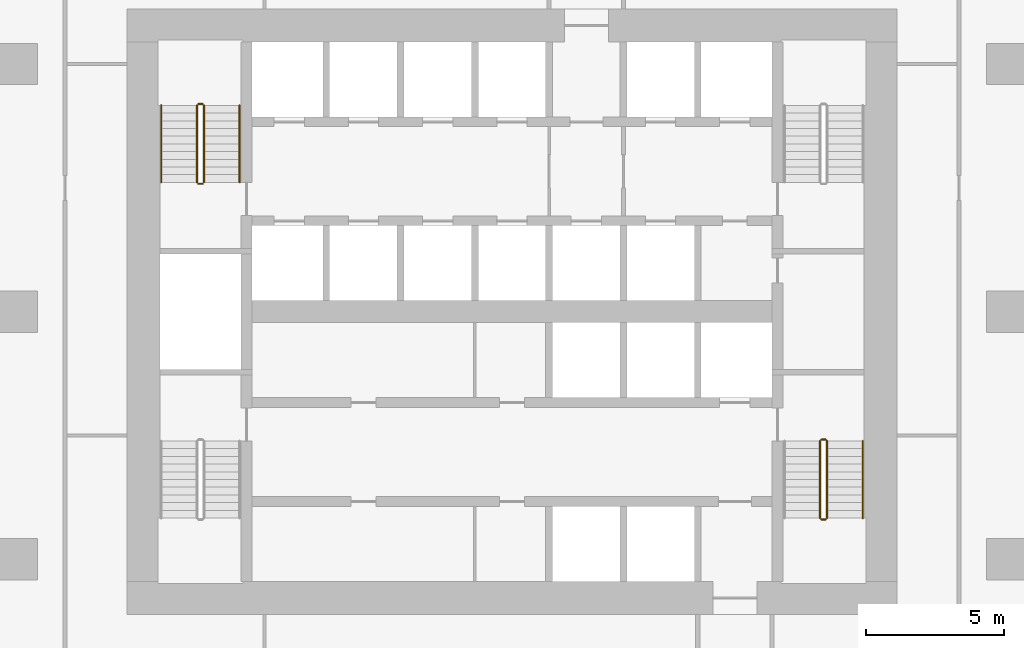
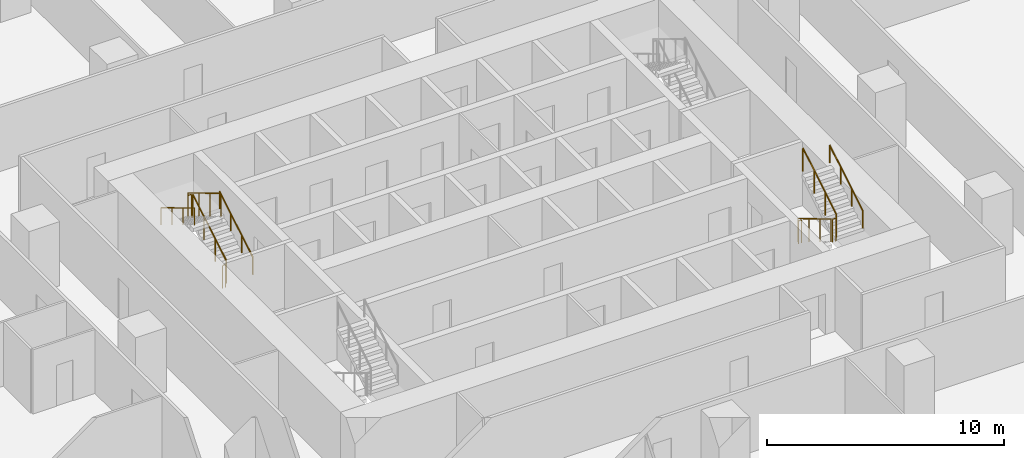
# One storey, part 22 of 25: 11 railings.
"""IFC4 building model written with IfcOpenShell, lengths in metres."""

from ifc_helpers import new_model, si_unit, direction, frame, origin, origin_2d, place, context, subcontext, project, spatial, circle, extrude, material, type_object, element, save


model = new_model("IFC4")

# Units and contexts
model_context = context("Model", 3, precision=1e-05, world=origin(), true_north=direction((0.0, 1.0)))
body_context = subcontext(model_context, "Body", "Model", "MODEL_VIEW")
ifc_project = project(units=[si_unit("LENGTHUNIT", "METRE"), si_unit("AREAUNIT", "SQUARE_METRE"), si_unit("VOLUMEUNIT", "CUBIC_METRE"), si_unit("PLANEANGLEUNIT", "RADIAN"), si_unit("MASSUNIT", "GRAM", prefix="KILO")], contexts=[model_context])

# Site, building, storey
site_placement = place(None, origin())
site = spatial("IfcSite", under=ifc_project, at=site_placement, CompositionType="ELEMENT")
building_placement = place(site_placement, origin())
building = spatial("IfcBuilding", under=site, at=building_placement, Name="Dongbaek Canopy Tower", CompositionType="ELEMENT")
storey_placement = place(building_placement, frame((0.0, 0.0, 77.300048828125)))
storey = spatial("IfcBuildingStorey", under=building, at=storey_placement, Name="L15", CompositionType="ELEMENT", Elevation=77.300048828125)

# Railings
ifc_material_1 = material(Name="Stainless steel tube and balusters", Category="steel")
railing_type_1 = type_object("IfcRailingType", Name="Stair guard 1200", PredefinedType="GUARDRAIL", material=ifc_material_1)
railing_1_placement = place(storey_placement, frame((-11.199951171875, 4.699951171875, 0.168212890625)))
element("IfcRailing", 1, at=railing_1_placement, inside=storey, type_object=railing_type_1, Name="L15 ST-C stair guard 1", PredefinedType="GUARDRAIL", context=body_context, shape_type="SweptSolid", body=[
    extrude(circle(Radius=0.02392578125, at=origin_2d()), frame((0.0, 0.0, 1.17578125), z_axis=(0.0, 0.857275202839, 0.514858452973), x_axis=(-1.0, 0.0, 0.0)), (0.0, 0.0, 1.0), 3.26611328125),
    extrude(circle(Radius=0.02099609375, at=origin_2d()), origin(), (0.0, 0.0, 1.0), 1.15185546875),
    extrude(circle(Radius=0.02099609375, at=origin_2d()), frame((0.0, 0.933349609375, 0.560546875)), (0.0, 0.0, 1.0), 1.15185546875),
    extrude(circle(Radius=0.02099609375, at=origin_2d()), frame((0.0, 1.86669921875, 1.12109375)), (0.0, 0.0, 1.0), 1.15185546875),
    extrude(circle(Radius=0.02099609375, at=origin_2d()), frame((0.0, 2.800048828125, 1.681640625)), (0.0, 0.0, 1.0), 1.15185546875),
])
railing_2_placement = place(storey_placement, frame((-11.25, 7.550048828125, 1.849853515625)))
element("IfcRailing", 2, at=railing_2_placement, inside=storey, type_object=railing_type_1, Name="L15 ST-C stair guard 2", PredefinedType="GUARDRAIL", context=body_context, shape_type="SweptSolid", body=[
    extrude(circle(Radius=0.02392578125, at=origin_2d()), frame((0.0, 0.0, 1.17578125), z_axis=(-1.0, 0.0, 0.0), x_axis=(0.0, -1.0, 0.0)), (0.0, 0.0, 1.0), 0.14990234375),
    extrude(circle(Radius=0.02099609375, at=origin_2d()), origin(), (0.0, 0.0, 1.0), 1.15185546875),
    extrude(circle(Radius=0.02099609375, at=origin_2d()), frame((-0.14990234375, 0.0, 0.0)), (0.0, 0.0, 1.0), 1.15185546875),
])
railing_3_placement = place(storey_placement, frame((-11.449951171875, 7.5, 2.01806640625)))
element("IfcRailing", 3, at=railing_3_placement, inside=storey, type_object=railing_type_1, Name="L15 ST-C stair guard 3", PredefinedType="GUARDRAIL", context=body_context, shape_type="SweptSolid", body=[
    extrude(circle(Radius=0.02392578125, at=origin_2d()), frame((0.0, 0.0, 1.17578125), z_axis=(0.0, -0.857242210791, 0.514913383045), x_axis=(1.0, 0.0, 0.0)), (0.0, 0.0, 1.0), 3.266357421875),
    extrude(circle(Radius=0.02099609375, at=origin_2d()), origin(), (0.0, 0.0, 1.0), 1.15185546875),
    extrude(circle(Radius=0.02099609375, at=origin_2d()), frame((0.0, -0.933349609375, 0.560546875)), (0.0, 0.0, 1.0), 1.15185546875),
    extrude(circle(Radius=0.02099609375, at=origin_2d()), frame((0.0, -1.86669921875, 1.121337890625)), (0.0, 0.0, 1.0), 1.15185546875),
    extrude(circle(Radius=0.02099609375, at=origin_2d()), frame((0.0, -2.800048828125, 1.681884765625)), (0.0, 0.0, 1.0), 1.15185546875),
])
railing_4_placement = place(storey_placement, frame((-11.25, 4.64990234375, 0.0)))
element("IfcRailing", 4, at=railing_4_placement, inside=storey, type_object=railing_type_1, Name="L15 ST-C stair guard 4", PredefinedType="GUARDRAIL", context=body_context, shape_type="SweptSolid", body=[
    extrude(circle(Radius=0.02392578125, at=origin_2d()), frame((0.0, 0.0, 1.17578125), z_axis=(-1.0, 0.0, 0.0), x_axis=(0.0, -1.0, 0.0)), (0.0, 0.0, 1.0), 0.14990234375),
    extrude(circle(Radius=0.02099609375, at=origin_2d()), origin(), (0.0, 0.0, 1.0), 1.15185546875),
    extrude(circle(Radius=0.02099609375, at=origin_2d()), frame((-0.14990234375, 0.0, 0.0)), (0.0, 0.0, 1.0), 1.15185546875),
])
railing_5_placement = place(storey_placement, frame((11.199951171875, -4.699951171875, 0.168212890625)))
element("IfcRailing", 5, at=railing_5_placement, inside=storey, type_object=railing_type_1, Name="L15 ST-B stair guard 1", PredefinedType="GUARDRAIL", context=body_context, shape_type="SweptSolid", body=[
    extrude(circle(Radius=0.02392578125, at=origin_2d()), frame((0.0, 0.0, 1.17578125), z_axis=(0.0, -0.857275202839, 0.514858452973), x_axis=(1.0, 0.0, 0.0)), (0.0, 0.0, 1.0), 3.26611328125),
    extrude(circle(Radius=0.02099609375, at=origin_2d()), origin(), (0.0, 0.0, 1.0), 1.15185546875),
    extrude(circle(Radius=0.02099609375, at=origin_2d()), frame((0.0, -0.933349609375, 0.560546875)), (0.0, 0.0, 1.0), 1.15185546875),
    extrude(circle(Radius=0.02099609375, at=origin_2d()), frame((0.0, -1.86669921875, 1.12109375)), (0.0, 0.0, 1.0), 1.15185546875),
    extrude(circle(Radius=0.02099609375, at=origin_2d()), frame((0.0, -2.800048828125, 1.681640625)), (0.0, 0.0, 1.0), 1.15185546875),
])
railing_6_placement = place(storey_placement, frame((11.25, -7.550048828125, 1.849853515625)))
element("IfcRailing", 6, at=railing_6_placement, inside=storey, type_object=railing_type_1, Name="L15 ST-B stair guard 2", PredefinedType="GUARDRAIL", context=body_context, shape_type="SweptSolid", body=[
    extrude(circle(Radius=0.02392578125, at=origin_2d()), frame((0.0, 0.0, 1.17578125), z_axis=(1.0, 0.0, 0.0), x_axis=(0.0, 1.0, 0.0)), (0.0, 0.0, 1.0), 0.14990234375),
    extrude(circle(Radius=0.02099609375, at=origin_2d()), origin(), (0.0, 0.0, 1.0), 1.15185546875),
    extrude(circle(Radius=0.02099609375, at=origin_2d()), frame((0.14990234375, 0.0, 0.0)), (0.0, 0.0, 1.0), 1.15185546875),
])
railing_7_placement = place(storey_placement, frame((11.449951171875, -7.5, 2.01806640625)))
element("IfcRailing", 7, at=railing_7_placement, inside=storey, type_object=railing_type_1, Name="L15 ST-B stair guard 3", PredefinedType="GUARDRAIL", context=body_context, shape_type="SweptSolid", body=[
    extrude(circle(Radius=0.02392578125, at=origin_2d()), frame((0.0, 0.0, 1.17578125), z_axis=(0.0, 0.857242210791, 0.514913383045), x_axis=(-1.0, 0.0, 0.0)), (0.0, 0.0, 1.0), 3.266357421875),
    extrude(circle(Radius=0.02099609375, at=origin_2d()), origin(), (0.0, 0.0, 1.0), 1.15185546875),
    extrude(circle(Radius=0.02099609375, at=origin_2d()), frame((0.0, 0.933349609375, 0.560546875)), (0.0, 0.0, 1.0), 1.15185546875),
    extrude(circle(Radius=0.02099609375, at=origin_2d()), frame((0.0, 1.86669921875, 1.121337890625)), (0.0, 0.0, 1.0), 1.15185546875),
    extrude(circle(Radius=0.02099609375, at=origin_2d()), frame((0.0, 2.800048828125, 1.681884765625)), (0.0, 0.0, 1.0), 1.15185546875),
])
railing_8_placement = place(storey_placement, frame((11.25, -4.64990234375, 0.0)))
element("IfcRailing", 8, at=railing_8_placement, inside=storey, type_object=railing_type_1, Name="L15 ST-B stair guard 4", PredefinedType="GUARDRAIL", context=body_context, shape_type="SweptSolid", body=[
    extrude(circle(Radius=0.02392578125, at=origin_2d()), frame((0.0, 0.0, 1.17578125), z_axis=(1.0, 0.0, 0.0), x_axis=(0.0, 1.0, 0.0)), (0.0, 0.0, 1.0), 0.14990234375),
    extrude(circle(Radius=0.02099609375, at=origin_2d()), origin(), (0.0, 0.0, 1.0), 1.15185546875),
    extrude(circle(Radius=0.02099609375, at=origin_2d()), frame((0.14990234375, 0.0, 0.0)), (0.0, 0.0, 1.0), 1.15185546875),
])
ifc_material_2 = material(Name="Stainless steel tube", Category="steel")
railing_type_2 = type_object("IfcRailingType", Name="Stair handrail 900", PredefinedType="HANDRAIL", material=ifc_material_2)
railing_9_placement = place(storey_placement, frame((-9.89990234375, 4.699951171875, 0.168212890625)))
element("IfcRailing", 9, at=railing_9_placement, inside=storey, type_object=railing_type_2, Name="L15 ST-C stair handrail 1", PredefinedType="HANDRAIL", context=body_context, shape_type="SweptSolid", body=[
    extrude(circle(Radius=0.02392578125, at=origin_2d()), frame((0.0, 0.0, 0.8759765625), z_axis=(0.0, 0.857275202839, 0.514858452973), x_axis=(-1.0, 0.0, 0.0)), (0.0, 0.0, 1.0), 3.26611328125),
    extrude(circle(Radius=0.02099609375, at=origin_2d()), origin(), (0.0, 0.0, 1.0), 0.851806640625),
    extrude(circle(Radius=0.02099609375, at=origin_2d()), frame((0.0, 0.933349609375, 0.560546875)), (0.0, 0.0, 1.0), 0.851806640625),
    extrude(circle(Radius=0.02099609375, at=origin_2d()), frame((0.0, 1.86669921875, 1.12109375)), (0.0, 0.0, 1.0), 0.851806640625),
    extrude(circle(Radius=0.02099609375, at=origin_2d()), frame((0.0, 2.800048828125, 1.681640625)), (0.0, 0.0, 1.0), 0.851806640625),
])
railing_10_placement = place(storey_placement, frame((-12.75, 7.5, 2.01806640625)))
element("IfcRailing", 10, at=railing_10_placement, inside=storey, type_object=railing_type_2, Name="L15 ST-C stair handrail 2", PredefinedType="HANDRAIL", context=body_context, shape_type="SweptSolid", body=[
    extrude(circle(Radius=0.02392578125, at=origin_2d()), frame((0.0, 0.0, 0.8759765625), z_axis=(0.0, -0.857242210791, 0.514913383045), x_axis=(1.0, 0.0, 0.0)), (0.0, 0.0, 1.0), 3.266357421875),
    extrude(circle(Radius=0.02099609375, at=origin_2d()), origin(), (0.0, 0.0, 1.0), 0.851806640625),
    extrude(circle(Radius=0.02099609375, at=origin_2d()), frame((0.0, -0.933349609375, 0.560546875)), (0.0, 0.0, 1.0), 0.851806640625),
    extrude(circle(Radius=0.02099609375, at=origin_2d()), frame((0.0, -1.86669921875, 1.121337890625)), (0.0, 0.0, 1.0), 0.851806640625),
    extrude(circle(Radius=0.02099609375, at=origin_2d()), frame((0.0, -2.800048828125, 1.681884765625)), (0.0, 0.0, 1.0), 0.851806640625),
])
railing_11_placement = place(storey_placement, frame((12.75, -7.5, 2.01806640625)))
element("IfcRailing", 11, at=railing_11_placement, inside=storey, type_object=railing_type_2, Name="L15 ST-B stair handrail 2", PredefinedType="HANDRAIL", context=body_context, shape_type="SweptSolid", body=[
    extrude(circle(Radius=0.02392578125, at=origin_2d()), frame((0.0, 0.0, 0.8759765625), z_axis=(0.0, 0.857242210791, 0.514913383045), x_axis=(-1.0, 0.0, 0.0)), (0.0, 0.0, 1.0), 3.266357421875),
    extrude(circle(Radius=0.02099609375, at=origin_2d()), origin(), (0.0, 0.0, 1.0), 0.851806640625),
    extrude(circle(Radius=0.02099609375, at=origin_2d()), frame((0.0, 0.933349609375, 0.560546875)), (0.0, 0.0, 1.0), 0.851806640625),
    extrude(circle(Radius=0.02099609375, at=origin_2d()), frame((0.0, 1.86669921875, 1.121337890625)), (0.0, 0.0, 1.0), 0.851806640625),
    extrude(circle(Radius=0.02099609375, at=origin_2d()), frame((0.0, 2.800048828125, 1.681884765625)), (0.0, 0.0, 1.0), 0.851806640625),
])

save(model, "model.ifc")
